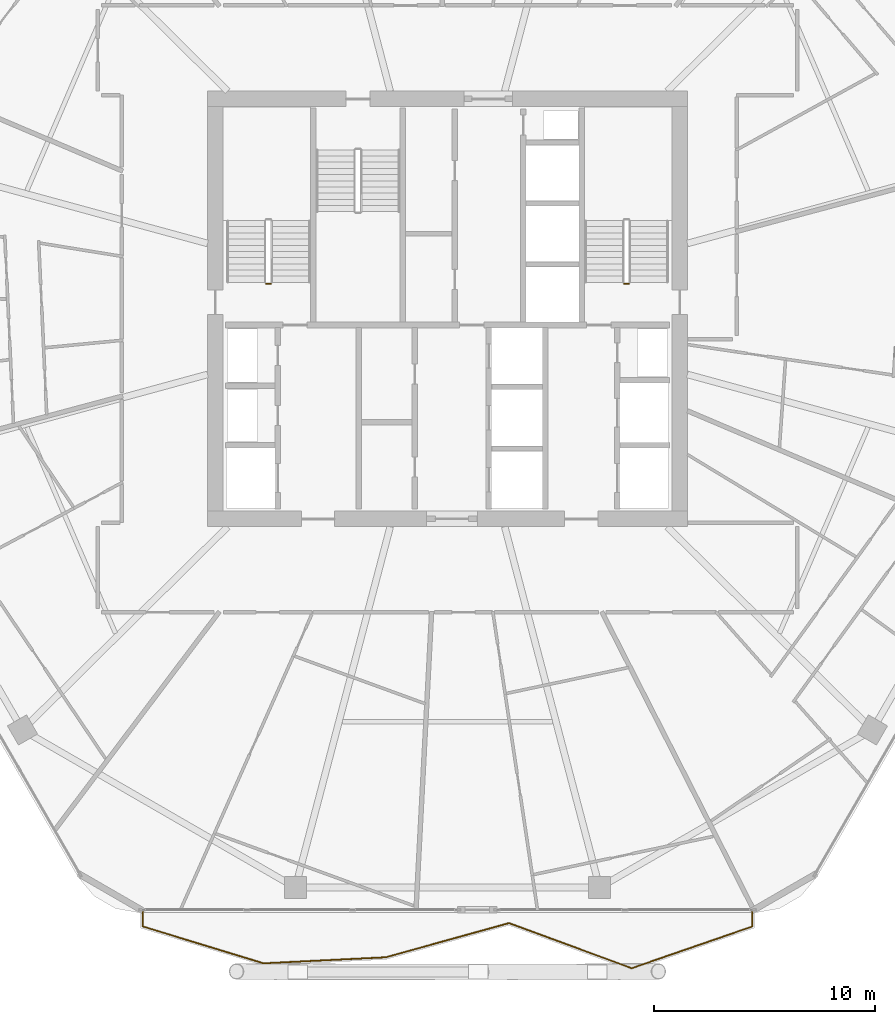
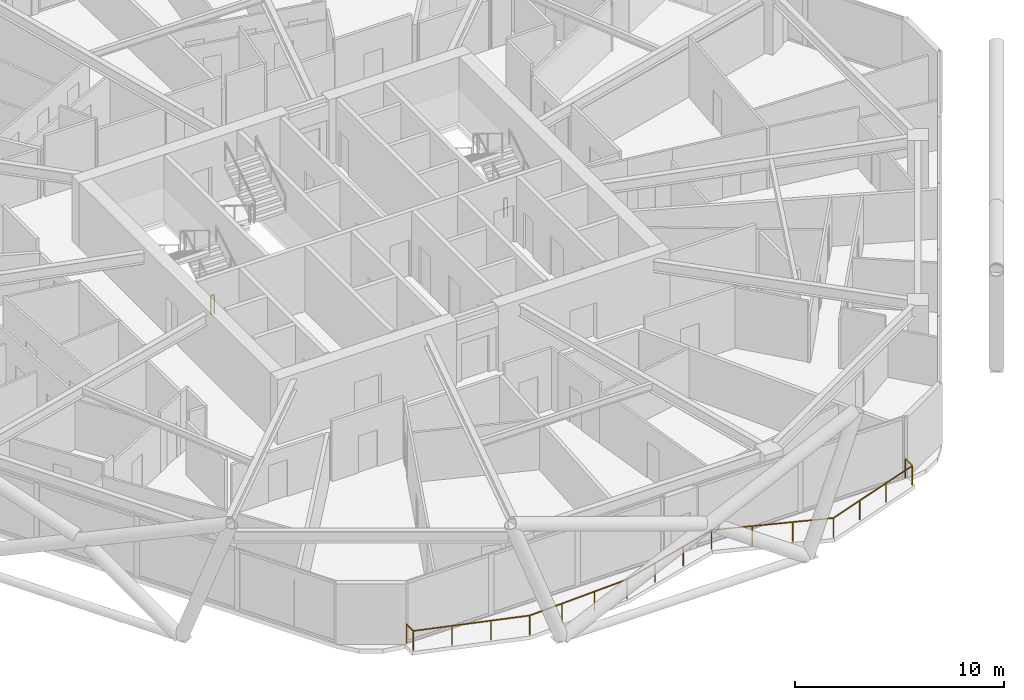
# One storey, part 27 of 29: 3 railings.
"""IFC4 building model written with IfcOpenShell, lengths in metres."""

from ifc_helpers import new_model, si_unit, direction, frame, origin, origin_2d, place, context, subcontext, project, spatial, rectangle, extrude, material, type_object, element, save


model = new_model("IFC4")

# Units and contexts
model_context = context("Model", 3, precision=1e-05, world=origin(), true_north=direction((0.0, 1.0)))
body_context = subcontext(model_context, "Body", "Model", "MODEL_VIEW")
ifc_project = project(units=[si_unit("LENGTHUNIT", "METRE"), si_unit("AREAUNIT", "SQUARE_METRE"), si_unit("VOLUMEUNIT", "CUBIC_METRE"), si_unit("PLANEANGLEUNIT", "RADIAN"), si_unit("MASSUNIT", "GRAM", prefix="KILO")], contexts=[model_context])

# Site, building, storey
site_placement = place(None, origin())
site = spatial("IfcSite", under=ifc_project, at=site_placement, CompositionType="ELEMENT")
building_placement = place(site_placement, origin())
building = spatial("IfcBuilding", under=site, at=building_placement, Name="Zuhravey Tower", CompositionType="ELEMENT")
storey_placement = place(building_placement, frame((0.0, 0.0, 184.60009765625)))
storey = spatial("IfcBuildingStorey", under=building, at=storey_placement, Name="L46", CompositionType="ELEMENT", Elevation=184.60009765625)

# Railings
ifc_material_1 = material(Name="Stainless steel 316 and laminated glass", Category="steel")
railing_type_1 = type_object("IfcRailingType", Name="Balcony & Terrace Guardrail 1150", PredefinedType="BALUSTRADE", material=ifc_material_1)
railing_placement = place(storey_placement, frame((49.7900390625, 4.73193359375, 0.0)))
element("IfcRailing", 1, at=railing_placement, inside=storey, type_object=railing_type_1, Name="L46 Face 5 Wave Balcony Guardrail GR1", PredefinedType="BALUSTRADE", context=body_context, shape_type="SweptSolid", body=[
    extrude(rectangle(XDim=0.048095703125, YDim=0.048095703125, at=origin_2d()), frame((0.0, -0.001953125, 1.1259765625), z_axis=(0.0, -1.0, 0.0), x_axis=(1.0, 0.0, 0.0)), (0.0, 0.0, 1.0), 0.6650390625),
    extrude(rectangle(XDim=0.048095703125, YDim=0.048095703125, at=origin_2d()), frame((-0.001953125, -0.669677734375, 1.1259765625), z_axis=(-0.944926729058, -0.327281952926, 0.0), x_axis=(0.327281952926, -0.944926729058, 0.0)), (0.0, 0.0, 1.0), 5.76904296875),
    extrude(rectangle(XDim=0.048095703125, YDim=0.048095703125, at=origin_2d()), frame((-5.45703125, -2.5576171875, 1.1259765625), z_axis=(-0.93849519735, 0.345292288578, 0.0), x_axis=(-0.345292288578, -0.93849519735, 0.0)), (0.0, 0.0, 1.0), 5.91259765625),
    extrude(rectangle(XDim=0.048095703125, YDim=0.048095703125, at=origin_2d()), frame((-11.009765625, -0.515869140625, 1.1259765625), z_axis=(-0.96353362204, -0.267587292671, 0.0), x_axis=(0.267587292671, -0.96353362204, 0.0)), (0.0, 0.0, 1.0), 5.783203125),
    extrude(rectangle(XDim=0.048095703125, YDim=0.048095703125, at=origin_2d()), frame((-16.5859375, -2.06396484375, 1.1259765625), z_axis=(-0.998787402445, -0.049231338772, 0.0), x_axis=(0.049231338772, -0.998787402445, 0.0)), (0.0, 0.0, 1.0), 5.5302734375),
    extrude(rectangle(XDim=0.048095703125, YDim=0.048095703125, at=origin_2d()), frame((-22.113525390625, -2.3359375, 1.1259765625), z_axis=(-0.956377089368, 0.292135008056, 0.0), x_axis=(-0.292135008056, -0.956377089368, 0.0)), (0.0, 0.0, 1.0), 5.7138671875),
    extrude(rectangle(XDim=0.048095703125, YDim=0.048095703125, at=origin_2d()), frame((-27.580078125, -0.6640625, 1.1259765625), z_axis=(0.0, 1.0, 0.0), x_axis=(-1.0, 0.0, 0.0)), (0.0, 0.0, 1.0), 0.662109375),
    extrude(rectangle(XDim=0.0419921875, YDim=0.0419921875, at=origin_2d()), origin(), (0.0, 0.0, 1.0), 1.099853515625),
    extrude(rectangle(XDim=0.0419921875, YDim=0.0419921875, at=origin_2d()), frame((0.0, -0.6689453125, 0.0)), (0.0, 0.0, 1.0), 1.099853515625),
    extrude(rectangle(XDim=0.0419921875, YDim=0.0419921875, at=origin_2d()), frame((-1.818359375, -1.298828125, 0.0)), (0.0, 0.0, 1.0), 1.099853515625),
    extrude(rectangle(XDim=0.0419921875, YDim=0.0419921875, at=origin_2d()), frame((-3.63671875, -1.928466796875, 0.0)), (0.0, 0.0, 1.0), 1.099853515625),
    extrude(rectangle(XDim=0.0419921875, YDim=0.0419921875, at=origin_2d()), frame((-5.455078125, -2.558349609375, 0.0)), (0.0, 0.0, 1.0), 1.099853515625),
    extrude(rectangle(XDim=0.0419921875, YDim=0.0419921875, at=origin_2d()), frame((-7.305908203125, -1.87744140625, 0.0)), (0.0, 0.0, 1.0), 1.099853515625),
    extrude(rectangle(XDim=0.0419921875, YDim=0.0419921875, at=origin_2d()), frame((-9.156982421875, -1.1962890625, 0.0)), (0.0, 0.0, 1.0), 1.099853515625),
    extrude(rectangle(XDim=0.0419921875, YDim=0.0419921875, at=origin_2d()), frame((-11.0078125, -0.515380859375, 0.0)), (0.0, 0.0, 1.0), 1.099853515625),
    extrude(rectangle(XDim=0.0419921875, YDim=0.0419921875, at=origin_2d()), frame((-12.866455078125, -1.031494140625, 0.0)), (0.0, 0.0, 1.0), 1.099853515625),
    extrude(rectangle(XDim=0.0419921875, YDim=0.0419921875, at=origin_2d()), frame((-14.725341796875, -1.5478515625, 0.0)), (0.0, 0.0, 1.0), 1.099853515625),
    extrude(rectangle(XDim=0.0419921875, YDim=0.0419921875, at=origin_2d()), frame((-16.583984375, -2.06396484375, 0.0)), (0.0, 0.0, 1.0), 1.099853515625),
    extrude(rectangle(XDim=0.0419921875, YDim=0.0419921875, at=origin_2d()), frame((-18.426513671875, -2.15478515625, 0.0)), (0.0, 0.0, 1.0), 1.099853515625),
    extrude(rectangle(XDim=0.0419921875, YDim=0.0419921875, at=origin_2d()), frame((-20.26904296875, -2.24560546875, 0.0)), (0.0, 0.0, 1.0), 1.099853515625),
    extrude(rectangle(XDim=0.0419921875, YDim=0.0419921875, at=origin_2d()), frame((-22.111572265625, -2.33642578125, 0.0)), (0.0, 0.0, 1.0), 1.099853515625),
    extrude(rectangle(XDim=0.0419921875, YDim=0.0419921875, at=origin_2d()), frame((-23.934326171875, -1.779541015625, 0.0)), (0.0, 0.0, 1.0), 1.099853515625),
    extrude(rectangle(XDim=0.0419921875, YDim=0.0419921875, at=origin_2d()), frame((-25.75732421875, -1.222900390625, 0.0)), (0.0, 0.0, 1.0), 1.099853515625),
    extrude(rectangle(XDim=0.0419921875, YDim=0.0419921875, at=origin_2d()), frame((-27.580078125, -0.666015625, 0.0)), (0.0, 0.0, 1.0), 1.099853515625),
    extrude(rectangle(XDim=0.0419921875, YDim=0.0419921875, at=origin_2d()), frame((-27.580078125, 0.0, 0.0)), (0.0, 0.0, 1.0), 1.099853515625),
])
ifc_material_2 = material(Name="Painted tubular steel", Category="steel")
railing_type_2 = type_object("IfcRailingType", Name="Stair Well Guardrail 1150", PredefinedType="GUARDRAIL", material=ifc_material_2)
for number, where, name in (
    (2, (28.0, 33.14990234375, 0.0), "L46 ST1 stair guard 4"),
    (3, (44.199951171875, 33.14990234375, 0.0), "L46 ST2 stair guard 4"),
):
    element("IfcRailing", number, at=place(storey_placement, frame(where)), inside=storey, type_object=railing_type_2, Name=name, PredefinedType="GUARDRAIL", context=body_context, shape_type="SweptSolid", body=[
        extrude(rectangle(XDim=0.048095703125, YDim=0.048095703125, at=origin_2d()), frame((-0.001953125, 0.0, 1.1259765625), z_axis=(-1.0, 0.0, 0.0), x_axis=(0.0, -1.0, 0.0)), (0.0, 0.0, 1.0), 0.196044921875),
        extrude(rectangle(XDim=0.0419921875, YDim=0.0419921875, at=origin_2d()), origin(), (0.0, 0.0, 1.0), 1.099853515625),
        extrude(rectangle(XDim=0.0419921875, YDim=0.0419921875, at=origin_2d()), frame((-0.199951171875, 0.0, 0.0)), (0.0, 0.0, 1.0), 1.099853515625),
    ])

save(model, "model.ifc")
